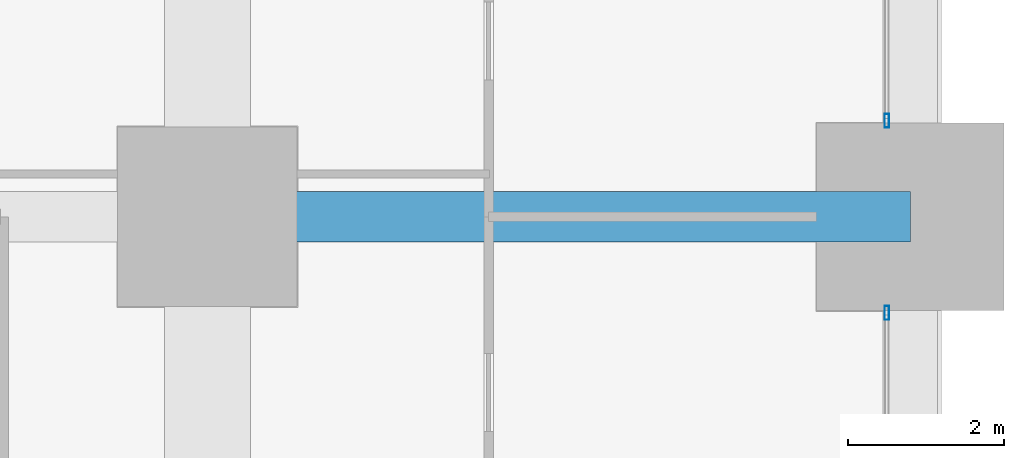
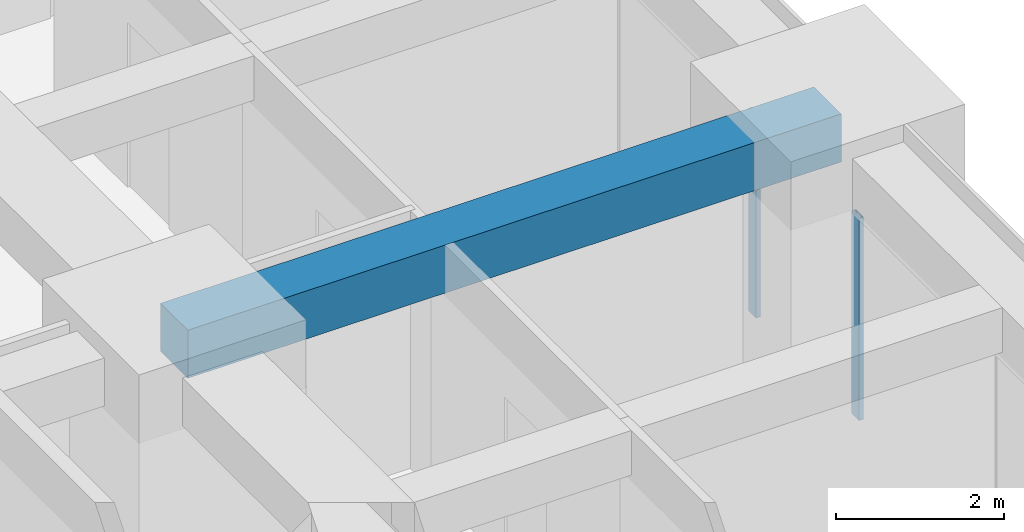
# One storey, part 32 of 45: 2 members, 1 beam, 2 elements without a shape of their own.
"""IFC4 building model written with IfcOpenShell, lengths in metres."""

from ifc_helpers import new_model, si_unit, direction, frame, origin, origin_2d, place, context, subcontext, project, spatial, rectangle, hollow_rectangle, extrude, material, material_profile, profile_set, type_object, element, aggregate, save


model = new_model("IFC4")

# Units and contexts
model_context = context("Model", 3, precision=1e-05, world=origin(), true_north=direction((0.0, 1.0)))
body_context = subcontext(model_context, "Body", "Model", "MODEL_VIEW")
ifc_project = project(units=[si_unit("LENGTHUNIT", "METRE"), si_unit("AREAUNIT", "SQUARE_METRE"), si_unit("VOLUMEUNIT", "CUBIC_METRE"), si_unit("PLANEANGLEUNIT", "RADIAN"), si_unit("MASSUNIT", "GRAM", prefix="KILO")], contexts=[model_context])

# Site, building, storey
site_placement = place(None, origin())
site = spatial("IfcSite", under=ifc_project, at=site_placement, CompositionType="ELEMENT")
building_placement = place(site_placement, origin())
building = spatial("IfcBuilding", under=site, at=building_placement, Name="Zorevar Civic Tower", CompositionType="ELEMENT")
storey_placement = place(building_placement, frame((0.0, 0.0, 23.800048828125)))
storey = spatial("IfcBuildingStorey", under=building, at=storey_placement, Name="L05", CompositionType="ELEMENT", Elevation=23.800048828125)

# Beam
ifc_material_1 = material(Name="Concrete C50/60", Category="concrete")
ifc_material_profile_1 = material_profile(ifc_material_1, rectangle(XDim=0.64990234375, YDim=0.699951171875, at=origin_2d()), Name="RC 650x700")
ifc_profile_set_1 = profile_set([ifc_material_profile_1], Name="Concrete C50/60")
beam_type = type_object("IfcBeamType", Name="Beam RC 650x700", PredefinedType="BEAM", material=ifc_profile_set_1)
beam_placement = place(storey_placement, frame((54.0, 36.0, 3.39990234375), z_axis=(1.0, 0.0, 0.0), x_axis=(0.0, 1.0, 0.0)))
element("IfcBeam", 1, at=beam_placement, inside=storey, type_object=beam_type, Name="Girder L06", PredefinedType="BEAM", context=body_context, shape_type="SweptSolid", body=[
    extrude(rectangle(XDim=0.64990234375, YDim=0.699951171875, at=origin_2d()), origin(), (0.0, 0.0, 1.0), 9.0),
])

# Curtain wall, member
ifc_material_2 = material(Name="Dark grey solar-control glass in black aluminium frame", Category="aluminium")
curtain_wall_type = type_object("IfcCurtainWallType", Name="Curtain wall CW2 low zone", PredefinedType="NOTDEFINED", material=ifc_material_2)
curtain_wall_1_placement = place(storey_placement, origin())
curtain_wall_1 = element("IfcCurtainWall", 2, at=curtain_wall_1_placement, inside=storey, type_object=curtain_wall_type, Name="CW2 L05", PredefinedType="NOTDEFINED")
ifc_material_3 = material(Name="Aluminium, black anodised", Category="aluminium")
ifc_material_profile_2 = material_profile(ifc_material_3, hollow_rectangle(XDim=0.06005859375, YDim=0.179931640625, WallThickness=0.00390625, at=origin_2d()), Name="AL 180x60x4")
ifc_profile_set_2 = profile_set([ifc_material_profile_2], Name="Aluminium, black anodised")
member_type = type_object("IfcMemberType", Name="CW2 mullion AL 180x60x4", PredefinedType="MULLION", material=ifc_profile_set_2)
member_1_placement = place(storey_placement, frame((62.699951171875, 34.77001953125, 0.0), z_axis=(0.0, 0.0, 1.0), x_axis=(-1.0, 0.0, 0.0)))
member_1 = element("IfcMember", 3, at=member_1_placement, type_object=member_type, Name="CW2 mullion 3", PredefinedType="MULLION", context=body_context, shape_type="SweptSolid", body=[
    extrude(hollow_rectangle(XDim=0.06005859375, YDim=0.179931640625, WallThickness=0.00390625, at=origin_2d()), origin(), (0.0, 0.0, 1.0), 2.949951171875),
])
aggregate(curtain_wall_1, [member_1])

curtain_wall_2_placement = place(storey_placement, origin())
curtain_wall_2 = element("IfcCurtainWall", 4, at=curtain_wall_2_placement, inside=storey, type_object=curtain_wall_type, Name="CW2 L05", PredefinedType="NOTDEFINED")
member_2_placement = place(storey_placement, frame((62.699951171875, 37.22998046875, 0.0), z_axis=(0.0, 0.0, 1.0), x_axis=(-1.0, 0.0, 0.0)))
member_2 = element("IfcMember", 5, at=member_2_placement, type_object=member_type, Name="CW2 mullion 1", PredefinedType="MULLION", context=body_context, shape_type="SweptSolid", body=[
    extrude(hollow_rectangle(XDim=0.06005859375, YDim=0.179931640625, WallThickness=0.00390625, at=origin_2d()), origin(), (0.0, 0.0, 1.0), 2.949951171875),
])
aggregate(curtain_wall_2, [member_2])

save(model, "model.ifc")
